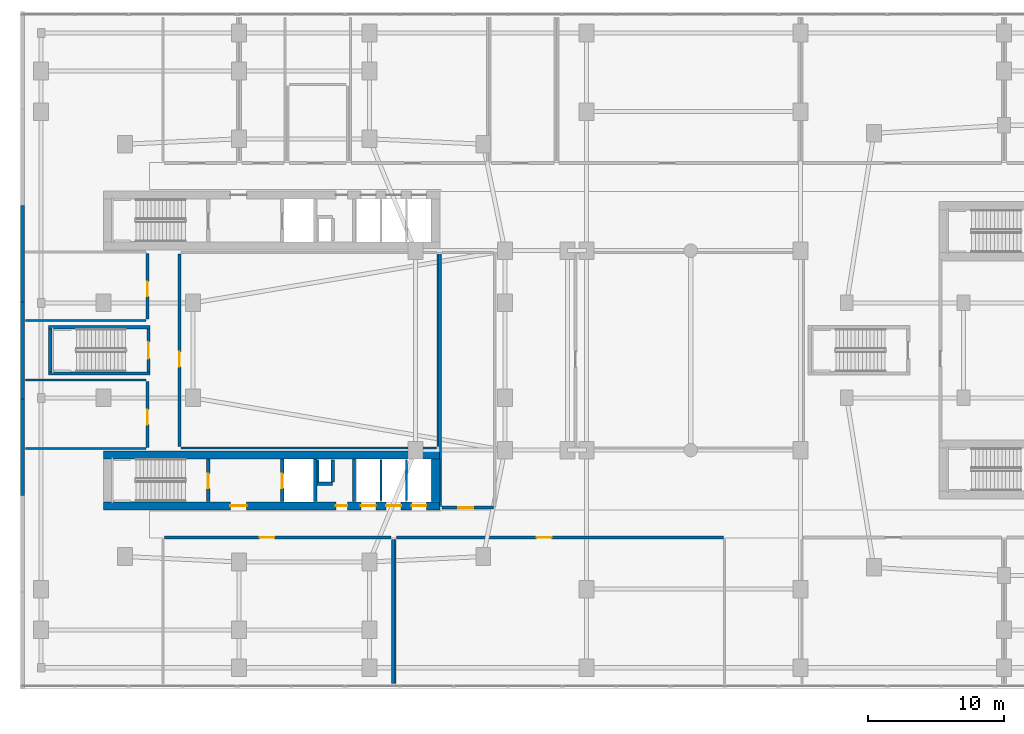
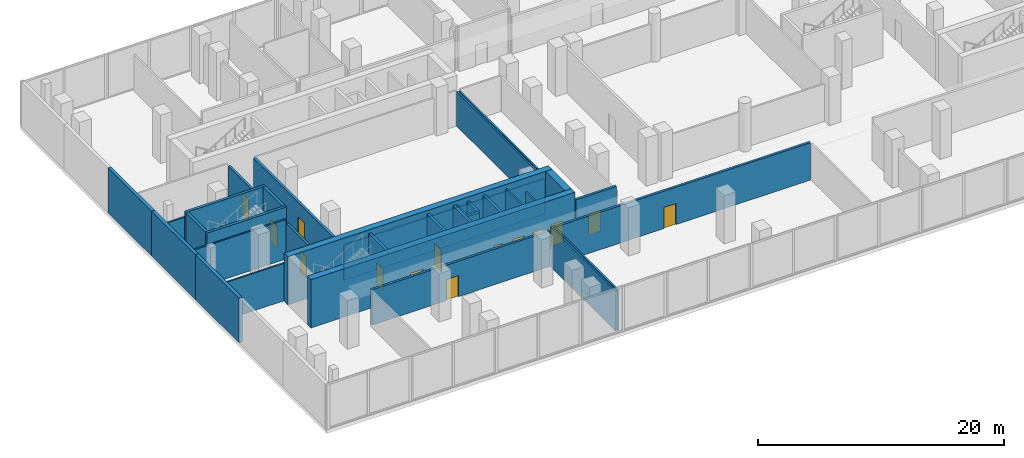
# One storey, part 13 of 23: 33 walls, 14 doors, 14 openings.
"""IFC4 building model written with IfcOpenShell, lengths in metres."""

from ifc_helpers import new_model, si_unit, derived_unit, direction, frame, frame_2d, origin, place, context, subcontext, project, spatial, rectangle, extrude, material, layer, layer_set, type_object, element, fill, save


model = new_model("IFC4")

# Units and contexts
model_context = context("Model", 3, precision=1e-05, world=origin(), true_north=direction((0.0, 1.0)))
body_context = subcontext(model_context, "Body", "Model", "MODEL_VIEW")
ifc_project = project(units=[si_unit("LENGTHUNIT", "METRE"), si_unit("AREAUNIT", "SQUARE_METRE"), si_unit("VOLUMEUNIT", "CUBIC_METRE"), si_unit("PLANEANGLEUNIT", "RADIAN"), si_unit("MASSUNIT", "GRAM", prefix="KILO"), derived_unit("THERMALTRANSMITTANCEUNIT", [(si_unit("POWERUNIT", "WATT"), 1), (si_unit("LENGTHUNIT", "METRE"), -2), (si_unit("THERMODYNAMICTEMPERATUREUNIT", "KELVIN"), -1)])], contexts=[model_context])

# Site, building, storey
site_placement = place(None, origin())
site = spatial("IfcSite", under=ifc_project, at=site_placement, CompositionType="ELEMENT")
building_placement = place(site_placement, origin())
building = spatial("IfcBuilding", under=site, at=building_placement, Name="Kivonza Crest Hotel", CompositionType="ELEMENT")
storey_placement = place(building_placement, frame((0.0, 0.0, 5.39990234375)))
storey = spatial("IfcBuildingStorey", under=building, at=storey_placement, Name="L01", CompositionType="ELEMENT", Elevation=5.39990234375)

# Wall, opening, door
ifc_material_1 = material(Name="Autoclaved aerated concrete blockwork", Category="masonry")
ifc_layer_1 = layer(ifc_material_1, 0.219970703125)
ifc_layer_set_1 = layer_set([ifc_layer_1], Name="Autoclaved aerated concrete blockwork")
wall_type_1 = type_object("IfcWallType", Name="WL-ACOU-220", PredefinedType="SOLIDWALL", material=ifc_layer_set_1)
wall_1_placement = place(storey_placement, frame((11.800048828125, 17.89990234375, 0.0), z_axis=(0.0, 0.0, 1.0), x_axis=(0.0, 1.0, 0.0)))
wall_1 = element("IfcWall", 1, at=wall_1_placement, inside=storey, type_object=wall_type_1, Name="L01 interior partition WA-L01-DIN-ALL-W", PredefinedType="SOLIDWALL", context=body_context, shape_type="SweptSolid", body=[
    extrude(rectangle(XDim=14.2001953125, YDim=0.219970703125, at=frame_2d((7.10009765625, 0.0))), origin(), (0.0, 0.0, 1.0), 3.525146484375),
])
opening_1_placement = place(wall_1_placement, frame((5.885009765625, 0.0, 0.0)))
opening_1 = element("IfcOpeningElement", 2, at=opening_1_placement, cuts=wall_1, Name="Opening DF-60M", PredefinedType="OPENING", context=body_context, shape_type="SweptSolid", body=[
    extrude(rectangle(XDim=1.10009765625, YDim=2.10009765625, at=frame_2d((0.550048828125, 1.050048828125))), frame((0.0, 0.1201171875, 0.0), z_axis=(0.0, -1.0, 0.0), x_axis=(1.0, 0.0, 0.0)), (0.0, 0.0, 1.0), 0.239990234375),
])
ifc_material_2 = material(Name="Hardwood timber oak", Category="wood")
door_type_1 = type_object("IfcDoorType", Name="DR-FD60-1100", OperationType="NOTDEFINED", PredefinedType="DOOR", material=ifc_material_2)
door_1_placement = place(opening_1_placement, frame((1.10009765625, 0.0, 0.0), z_axis=(0.0, 0.0, 1.0), x_axis=(-1.0, 0.0, 0.0)))
door_1 = element("IfcDoor", 3, at=door_1_placement, inside=storey, type_object=door_type_1, Name="L01 All-Day Dining Restaurant door", OperationType="SINGLE_SWING_LEFT", OverallHeight=2.10009765625, OverallWidth=1.10009765625, PredefinedType="DOOR", context=body_context, shape_type="SweptSolid", body=[
    extrude(rectangle(XDim=1.10009765625, YDim=2.10009765625, at=frame_2d((0.550048828125, 1.050048828125))), frame((0.0, 0.02490234375, 0.0), z_axis=(0.0, -1.0, 0.0), x_axis=(1.0, 0.0, 0.0)), (0.0, 0.0, 1.0), 0.050048828125),
])
fill(opening_1, door_1)

wall_2_placement = place(storey_placement, frame((31.14990234375, 13.39990234375, 0.0), z_axis=(0.0, 0.0, 1.0), x_axis=(1.0, 0.0, 0.0)))
wall_2 = element("IfcWall", 4, at=wall_2_placement, inside=storey, type_object=wall_type_1, Name="L01 interior partition WA-L01-DIN-SPC-S", PredefinedType="SOLIDWALL", context=body_context, shape_type="SweptSolid", body=[
    extrude(rectangle(XDim=3.800048828125, YDim=0.219970703125, at=frame_2d((1.89990234375, 0.0))), origin(), (0.0, 0.0, 1.0), 3.97509765625),
])
opening_2_placement = place(wall_2_placement, frame((1.205078125, 0.0, 0.0)))
opening_2 = element("IfcOpeningElement", 5, at=opening_2_placement, cuts=wall_2, Name="Opening DF-60M", PredefinedType="OPENING", context=body_context, shape_type="SweptSolid", body=[
    extrude(rectangle(XDim=1.10009765625, YDim=2.10009765625, at=frame_2d((0.550048828125, 1.050048828125))), frame((0.0, 0.1201171875, 0.0), z_axis=(0.0, -1.0, 0.0), x_axis=(1.0, 0.0, 0.0)), (0.0, 0.0, 1.0), 0.239990234375),
])
door_2_placement = place(opening_2_placement, origin())
door_2 = element("IfcDoor", 6, at=door_2_placement, inside=storey, type_object=door_type_1, Name="L01 Specialty Grill Dining Room door", OperationType="SINGLE_SWING_RIGHT", OverallHeight=2.10009765625, OverallWidth=1.10009765625, PredefinedType="DOOR", context=body_context, shape_type="SweptSolid", body=[
    extrude(rectangle(XDim=1.10009765625, YDim=2.10009765625, at=frame_2d((0.550048828125, 1.050048828125))), frame((0.0, 0.02490234375, 0.0), z_axis=(0.0, -1.0, 0.0), x_axis=(1.0, 0.0, 0.0)), (0.0, 0.0, 1.0), 0.050048828125),
])
fill(opening_2, door_2)

wall_3_placement = place(storey_placement, frame((10.699951171875, 11.199951171875, 0.0), z_axis=(0.0, 0.0, 1.0), x_axis=(1.0, 0.0, 0.0)))
wall_3 = element("IfcWall", 7, at=wall_3_placement, inside=storey, type_object=wall_type_1, Name="L01 interior partition WA-L01-KIT-MAIN-N", PredefinedType="SOLIDWALL", context=body_context, shape_type="SweptSolid", body=[
    extrude(rectangle(XDim=16.699951171875, YDim=0.219970703125, at=frame_2d((8.35009765625, 0.0))), origin(), (0.0, 0.0, 1.0), 3.525146484375),
])
opening_3_placement = place(wall_3_placement, frame((7.010009765625, 0.0, 0.0)))
opening_3 = element("IfcOpeningElement", 8, at=opening_3_placement, cuts=wall_3, Name="Opening DF-60M", PredefinedType="OPENING", context=body_context, shape_type="SweptSolid", body=[
    extrude(rectangle(XDim=1.10009765625, YDim=2.10009765625, at=frame_2d((0.550048828125, 1.050048828125))), frame((0.0, 0.1201171875, 0.0), z_axis=(0.0, -1.0, 0.0), x_axis=(1.0, 0.0, 0.0)), (0.0, 0.0, 1.0), 0.239990234375),
])
door_3_placement = place(opening_3_placement, frame((1.10009765625, 0.0, 0.0), z_axis=(0.0, 0.0, 1.0), x_axis=(-1.0, 0.0, 0.0)))
door_3 = element("IfcDoor", 9, at=door_3_placement, inside=storey, type_object=door_type_1, Name="L01 Commercial Main Kitchen door", OperationType="SINGLE_SWING_LEFT", OverallHeight=2.10009765625, OverallWidth=1.10009765625, PredefinedType="DOOR", context=body_context, shape_type="SweptSolid", body=[
    extrude(rectangle(XDim=1.10009765625, YDim=2.10009765625, at=frame_2d((0.550048828125, 1.050048828125))), frame((0.0, 0.02490234375, 0.0), z_axis=(0.0, -1.0, 0.0), x_axis=(1.0, 0.0, 0.0)), (0.0, 0.0, 1.0), 0.050048828125),
])
fill(opening_3, door_3)

wall_4_placement = place(storey_placement, frame((27.800048828125, 11.199951171875, 0.0), z_axis=(0.0, 0.0, 1.0), x_axis=(1.0, 0.0, 0.0)))
wall_4 = element("IfcWall", 10, at=wall_4_placement, inside=storey, type_object=wall_type_1, Name="L01 interior partition WA-L01-FOY-1-N", PredefinedType="SOLIDWALL", context=body_context, shape_type="SweptSolid", body=[
    extrude(rectangle(XDim=24.099853515625, YDim=0.219970703125, at=frame_2d((12.0498046875, 0.0))), origin(), (0.0, 0.0, 1.0), 3.72509765625),
])
opening_4_placement = place(wall_4_placement, frame((10.340087890625, 0.0, 0.0)))
opening_4 = element("IfcOpeningElement", 11, at=opening_4_placement, cuts=wall_4, Name="Opening DF-60M", PredefinedType="OPENING", context=body_context, shape_type="SweptSolid", body=[
    extrude(rectangle(XDim=1.10009765625, YDim=2.10009765625, at=frame_2d((0.550048828125, 1.050048828125))), frame((0.0, 0.1201171875, 0.0), z_axis=(0.0, -1.0, 0.0), x_axis=(1.0, 0.0, 0.0)), (0.0, 0.0, 1.0), 0.239990234375),
])
door_4_placement = place(opening_4_placement, frame((1.10009765625, 0.0, 0.0), z_axis=(0.0, 0.0, 1.0), x_axis=(-1.0, 0.0, 0.0)))
door_4 = element("IfcDoor", 12, at=door_4_placement, inside=storey, type_object=door_type_1, Name="L01 Dining Pre-Function Foyer door", OperationType="SINGLE_SWING_RIGHT", OverallHeight=2.10009765625, OverallWidth=1.10009765625, PredefinedType="DOOR", context=body_context, shape_type="SweptSolid", body=[
    extrude(rectangle(XDim=1.10009765625, YDim=2.10009765625, at=frame_2d((0.550048828125, 1.050048828125))), frame((0.0, 0.02490234375, 0.0), z_axis=(0.0, -1.0, 0.0), x_axis=(1.0, 0.0, 0.0)), (0.0, 0.0, 1.0), 0.050048828125),
])
fill(opening_4, door_4)

wall_5_placement = place(storey_placement, frame((9.449951171875, 17.85009765625, 0.0), z_axis=(0.0, 0.0, 1.0), x_axis=(0.0, 1.0, 0.0)))
wall_5 = element("IfcWall", 13, at=wall_5_placement, inside=storey, type_object=wall_type_1, Name="L01 interior partition WA-L01-W-SAL1S-E", PredefinedType="SOLIDWALL", context=body_context, shape_type="SweptSolid", body=[
    extrude(rectangle(XDim=4.849853515625, YDim=0.219970703125, at=frame_2d((2.4248046875, 0.0))), origin(), (0.0, 0.0, 1.0), 3.525146484375),
])
opening_5_placement = place(wall_5_placement, frame((1.677978515625, 0.0, 0.0)))
opening_5 = element("IfcOpeningElement", 14, at=opening_5_placement, cuts=wall_5, Name="Opening DF-60M", PredefinedType="OPENING", context=body_context, shape_type="SweptSolid", body=[
    extrude(rectangle(XDim=1.10009765625, YDim=2.10009765625, at=frame_2d((0.550048828125, 1.050048828125))), frame((0.0, 0.1201171875, 0.0), z_axis=(0.0, -1.0, 0.0), x_axis=(1.0, 0.0, 0.0)), (0.0, 0.0, 1.0), 0.239990234375),
])
door_5_placement = place(opening_5_placement, origin())
door_5 = element("IfcDoor", 15, at=door_5_placement, inside=storey, type_object=door_type_1, Name="L01 West Tea Lounge door", OperationType="SINGLE_SWING_LEFT", OverallHeight=2.10009765625, OverallWidth=1.10009765625, PredefinedType="DOOR", context=body_context, shape_type="SweptSolid", body=[
    extrude(rectangle(XDim=1.10009765625, YDim=2.10009765625, at=frame_2d((0.550048828125, 1.050048828125))), frame((0.0, 0.02490234375, 0.0), z_axis=(0.0, -1.0, 0.0), x_axis=(1.0, 0.0, 0.0)), (0.0, 0.0, 1.0), 0.050048828125),
])
fill(opening_5, door_5)

wall_6_placement = place(storey_placement, frame((9.449951171875, 27.300048828125, 0.0), z_axis=(0.0, 0.0, 1.0), x_axis=(0.0, 1.0, 0.0)))
wall_6 = element("IfcWall", 16, at=wall_6_placement, inside=storey, type_object=wall_type_1, Name="L01 interior partition WA-L01-W-SAL1N-E", PredefinedType="SOLIDWALL", context=body_context, shape_type="SweptSolid", body=[
    extrude(rectangle(XDim=4.849853515625, YDim=0.219970703125, at=frame_2d((2.4248046875, 0.0))), origin(), (0.0, 0.0, 1.0), 3.525146484375),
])
opening_6_placement = place(wall_6_placement, frame((1.677978515625, 0.0, 0.0)))
opening_6 = element("IfcOpeningElement", 17, at=opening_6_placement, cuts=wall_6, Name="Opening DF-60M", PredefinedType="OPENING", context=body_context, shape_type="SweptSolid", body=[
    extrude(rectangle(XDim=1.10009765625, YDim=2.10009765625, at=frame_2d((0.550048828125, 1.050048828125))), frame((0.0, 0.1201171875, 0.0), z_axis=(0.0, -1.0, 0.0), x_axis=(1.0, 0.0, 0.0)), (0.0, 0.0, 1.0), 0.239990234375),
])
door_6_placement = place(opening_6_placement, origin())
door_6 = element("IfcDoor", 18, at=door_6_placement, inside=storey, type_object=door_type_1, Name="L01 West Espresso Salon door", OperationType="SINGLE_SWING_RIGHT", OverallHeight=2.10009765625, OverallWidth=1.10009765625, PredefinedType="DOOR", context=body_context, shape_type="SweptSolid", body=[
    extrude(rectangle(XDim=1.10009765625, YDim=2.10009765625, at=frame_2d((0.550048828125, 1.050048828125))), frame((0.0, 0.02490234375, 0.0), z_axis=(0.0, -1.0, 0.0), x_axis=(1.0, 0.0, 0.0)), (0.0, 0.0, 1.0), 0.050048828125),
])
fill(opening_6, door_6)

# Wall, openings, doors
ifc_material_3 = material(Name="Concrete C60/75", Category="concrete")
ifc_layer_2 = layer(ifc_material_3, 0.60009765625)
ifc_layer_set_2 = layer_set([ifc_layer_2], Name="Concrete C60/75")
wall_type_2 = type_object("IfcWallType", Name="WL-CORE-600", PredefinedType="SHEAR", material=ifc_layer_set_2)
wall_7_placement = place(storey_placement, frame((6.199951171875, 13.5400390625, 0.0), z_axis=(0.0, 0.0, 1.0), x_axis=(1.0, 0.0, 0.0)))
wall_7 = element("IfcWall", 19, at=wall_7_placement, inside=storey, type_object=wall_type_2, Name="Core wall T1-S South L01", PredefinedType="SHEAR", context=body_context, shape_type="SweptSolid", body=[
    extrude(rectangle(XDim=24.800048828125, YDim=0.60009765625, at=frame_2d((12.39990234375, 0.0))), origin(), (0.0, 0.0, 1.0), 4.800048828125),
])
opening_7_placement = place(wall_7_placement, frame((9.35009765625, 0.0, 0.0)))
opening_7 = element("IfcOpeningElement", 20, at=opening_7_placement, cuts=wall_7, Name="Opening DF-60", PredefinedType="OPENING", context=body_context, shape_type="SweptSolid", body=[
    extrude(rectangle(XDim=1.199951171875, YDim=2.14990234375, at=frame_2d((0.60009765625, 1.074951171875))), frame((0.0, 0.31005859375, 0.0), z_axis=(0.0, -1.0, 0.0), x_axis=(1.0, 0.0, 0.0)), (0.0, 0.0, 1.0), 0.6201171875),
])
opening_8_placement = place(wall_7_placement, frame((17.139892578125, 0.0, 0.0)))
opening_8 = element("IfcOpeningElement", 21, at=opening_8_placement, cuts=wall_7, Name="Opening DF-60R", PredefinedType="OPENING", context=body_context, shape_type="SweptSolid", body=[
    extrude(rectangle(XDim=0.85009765625, YDim=2.10009765625, at=frame_2d((0.425048828125, 1.050048828125))), frame((0.0, 0.31005859375, 0.0), z_axis=(0.0, -1.0, 0.0), x_axis=(1.0, 0.0, 0.0)), (0.0, 0.0, 1.0), 0.6201171875),
])
opening_9_placement = place(wall_7_placement, frame((18.98291015625, 0.0, 0.0)))
opening_9 = element("IfcOpeningElement", 22, at=opening_9_placement, cuts=wall_7, Name="Opening LD-120", PredefinedType="OPENING", context=body_context, shape_type="SweptSolid", body=[
    extrude(rectangle(XDim=1.10009765625, YDim=2.14990234375, at=frame_2d((0.550048828125, 1.074951171875))), frame((0.0, 0.31005859375, 0.0), z_axis=(0.0, -1.0, 0.0), x_axis=(1.0, 0.0, 0.0)), (0.0, 0.0, 1.0), 0.6201171875),
])
opening_10_placement = place(wall_7_placement, frame((20.85009765625, 0.0, 0.0)))
opening_10 = element("IfcOpeningElement", 23, at=opening_10_placement, cuts=wall_7, Name="Opening LD-120", PredefinedType="OPENING", context=body_context, shape_type="SweptSolid", body=[
    extrude(rectangle(XDim=1.10009765625, YDim=2.14990234375, at=frame_2d((0.550048828125, 1.074951171875))), frame((0.0, 0.31005859375, 0.0), z_axis=(0.0, -1.0, 0.0), x_axis=(1.0, 0.0, 0.0)), (0.0, 0.0, 1.0), 0.6201171875),
])
opening_11_placement = place(wall_7_placement, frame((22.716064453125, 0.0, 0.0)))
opening_11 = element("IfcOpeningElement", 24, at=opening_11_placement, cuts=wall_7, Name="Opening LD-120", PredefinedType="OPENING", context=body_context, shape_type="SweptSolid", body=[
    extrude(rectangle(XDim=1.10009765625, YDim=2.14990234375, at=frame_2d((0.550048828125, 1.074951171875))), frame((0.0, 0.31005859375, 0.0), z_axis=(0.0, -1.0, 0.0), x_axis=(1.0, 0.0, 0.0)), (0.0, 0.0, 1.0), 0.6201171875),
])
door_type_2 = type_object("IfcDoorType", Name="DR-FD60-1200", OperationType="NOTDEFINED", PredefinedType="DOOR", material=ifc_material_2)
door_7_placement = place(opening_7_placement, frame((1.199951171875, 0.0, 0.0), z_axis=(0.0, 0.0, 1.0), x_axis=(-1.0, 0.0, 0.0)))
door_7 = element("IfcDoor", 25, at=door_7_placement, inside=storey, type_object=door_type_2, Name="L01 T1-S firefighting lobby fire door", OperationType="SINGLE_SWING_LEFT", OverallHeight=2.14990234375, OverallWidth=1.199951171875, PredefinedType="DOOR", context=body_context, shape_type="SweptSolid", body=[
    extrude(rectangle(XDim=1.199951171875, YDim=2.14990234375, at=frame_2d((0.60009765625, 1.074951171875))), frame((0.0, 0.02490234375, 0.0), z_axis=(0.0, -1.0, 0.0), x_axis=(1.0, 0.0, 0.0)), (0.0, 0.0, 1.0), 0.050048828125),
])
fill(opening_7, door_7)
door_type_3 = type_object("IfcDoorType", Name="DR-FD60-850", OperationType="NOTDEFINED", PredefinedType="DOOR", material=ifc_material_2)
door_8_placement = place(opening_8_placement, frame((0.85009765625, 0.0, 0.0), z_axis=(0.0, 0.0, 1.0), x_axis=(-1.0, 0.0, 0.0)))
door_8 = element("IfcDoor", 26, at=door_8_placement, inside=storey, type_object=door_type_3, Name="L01 T1-S core room door", OperationType="SINGLE_SWING_RIGHT", OverallHeight=2.10009765625, OverallWidth=0.85009765625, PredefinedType="DOOR", context=body_context, shape_type="SweptSolid", body=[
    extrude(rectangle(XDim=0.85009765625, YDim=2.10009765625, at=frame_2d((0.425048828125, 1.050048828125))), frame((0.0, 0.02490234375, 0.0), z_axis=(0.0, -1.0, 0.0), x_axis=(1.0, 0.0, 0.0)), (0.0, 0.0, 1.0), 0.050048828125),
])
fill(opening_8, door_8)
ifc_material_4 = material(Name="Stainless steel", Category="steel")
door_type_4 = type_object("IfcDoorType", Name="DR-LD120-1100", OperationType="NOTDEFINED", PredefinedType="DOOR", material=ifc_material_4)
door_9_placement = place(opening_9_placement, frame((1.10009765625, 0.0, 0.0), z_axis=(0.0, 0.0, 1.0), x_axis=(-1.0, 0.0, 0.0)))
door_9 = element("IfcDoor", 27, at=door_9_placement, inside=storey, type_object=door_type_4, Name="L01 PL-T1-H1 passenger lift sliding landing door", OperationType="DOUBLE_DOOR_SLIDING", OverallHeight=2.14990234375, OverallWidth=1.10009765625, PredefinedType="DOOR", context=body_context, shape_type="SweptSolid", body=[
    extrude(rectangle(XDim=1.10009765625, YDim=2.14990234375, at=frame_2d((0.550048828125, 1.074951171875))), frame((0.0, 0.02490234375, 0.0), z_axis=(0.0, -1.0, 0.0), x_axis=(1.0, 0.0, 0.0)), (0.0, 0.0, 1.0), 0.050048828125),
])
fill(opening_9, door_9)
door_10_placement = place(opening_10_placement, frame((1.10009765625, 0.0, 0.0), z_axis=(0.0, 0.0, 1.0), x_axis=(-1.0, 0.0, 0.0)))
door_10 = element("IfcDoor", 28, at=door_10_placement, inside=storey, type_object=door_type_4, Name="L01 PL-T1-H2 passenger lift sliding landing door", OperationType="DOUBLE_DOOR_SLIDING", OverallHeight=2.14990234375, OverallWidth=1.10009765625, PredefinedType="DOOR", context=body_context, shape_type="SweptSolid", body=[
    extrude(rectangle(XDim=1.10009765625, YDim=2.14990234375, at=frame_2d((0.550048828125, 1.074951171875))), frame((0.0, 0.02490234375, 0.0), z_axis=(0.0, -1.0, 0.0), x_axis=(1.0, 0.0, 0.0)), (0.0, 0.0, 1.0), 0.050048828125),
])
fill(opening_10, door_10)
door_11_placement = place(opening_11_placement, frame((1.10009765625, 0.0, 0.0), z_axis=(0.0, 0.0, 1.0), x_axis=(-1.0, 0.0, 0.0)))
door_11 = element("IfcDoor", 29, at=door_11_placement, inside=storey, type_object=door_type_4, Name="L01 PL-T1-H3 passenger lift sliding landing door", OperationType="DOUBLE_DOOR_SLIDING", OverallHeight=2.14990234375, OverallWidth=1.10009765625, PredefinedType="DOOR", context=body_context, shape_type="SweptSolid", body=[
    extrude(rectangle(XDim=1.10009765625, YDim=2.14990234375, at=frame_2d((0.550048828125, 1.074951171875))), frame((0.0, 0.02490234375, 0.0), z_axis=(0.0, -1.0, 0.0), x_axis=(1.0, 0.0, 0.0)), (0.0, 0.0, 1.0), 0.050048828125),
])
fill(opening_11, door_11)

# Walls
wall_8_placement = place(storey_placement, frame((6.199951171875, 17.300048828125, 0.0), z_axis=(0.0, 0.0, 1.0), x_axis=(1.0, 0.0, 0.0)))
element("IfcWall", 30, at=wall_8_placement, inside=storey, type_object=wall_type_2, Name="Core wall T1-S North L01", PredefinedType="SHEAR", context=body_context, shape_type="SweptSolid", body=[
    extrude(rectangle(XDim=24.800048828125, YDim=0.60009765625, at=frame_2d((12.39990234375, 0.0))), origin(), (0.0, 0.0, 1.0), 4.800048828125),
])
wall_9_placement = place(storey_placement, frame((30.699951171875, 13.840087890625, 0.0), z_axis=(0.0, 0.0, 1.0), x_axis=(0.0, 1.0, 0.0)))
element("IfcWall", 31, at=wall_9_placement, inside=storey, type_object=wall_type_2, Name="Core wall T1-S East L01", PredefinedType="SHEAR", context=body_context, shape_type="SweptSolid", body=[
    extrude(rectangle(XDim=3.159912109375, YDim=0.60009765625, at=frame_2d((1.580078125, 0.0))), origin(), (0.0, 0.0, 1.0), 4.800048828125),
])
ifc_material_5 = material(Name="Precast concrete C40/50", Category="concrete")
ifc_layer_3 = layer(ifc_material_5, 0.300048828125)
ifc_layer_set_3 = layer_set([ifc_layer_3], Name="Precast concrete C40/50")
wall_type_3 = type_object("IfcWallType", Name="WL-EXT-300", PredefinedType="STANDARD", material=ifc_layer_set_3)
wall_10_placement = place(storey_placement, frame((0.22998046875, 35.68798828125, 0.0), z_axis=(0.0, 0.0, 1.0), x_axis=(0.0, -1.0, 0.0)))
element("IfcWall", 32, at=wall_10_placement, inside=storey, type_object=wall_type_3, Name="L01 POD exterior insulated wall 34", PredefinedType="STANDARD", context=body_context, shape_type="SweptSolid", body=[
    extrude(rectangle(XDim=7.135986328125, YDim=0.300048828125, at=frame_2d((3.56787109375, 0.0))), origin(), (0.0, 0.0, 1.0), 4.4501953125),
])
wall_11_placement = place(storey_placement, frame((0.22998046875, 28.568115234375, 0.0), z_axis=(0.0, 0.0, 1.0), x_axis=(0.0, -1.0, 0.0)))
element("IfcWall", 33, at=wall_11_placement, inside=storey, type_object=wall_type_3, Name="L01 POD exterior insulated wall 35", PredefinedType="STANDARD", context=body_context, shape_type="SweptSolid", body=[
    extrude(rectangle(XDim=7.13623046875, YDim=0.300048828125, at=frame_2d((3.568115234375, 0.0))), origin(), (0.0, 0.0, 1.0), 4.4501953125),
])
wall_12_placement = place(storey_placement, frame((0.22998046875, 21.447998046875, 0.0), z_axis=(0.0, 0.0, 1.0), x_axis=(0.0, -1.0, 0.0)))
element("IfcWall", 34, at=wall_12_placement, inside=storey, type_object=wall_type_3, Name="L01 POD exterior insulated wall 36", PredefinedType="STANDARD", context=body_context, shape_type="SweptSolid", body=[
    extrude(rectangle(XDim=7.135986328125, YDim=0.300048828125, at=frame_2d((3.56787109375, 0.0))), origin(), (0.0, 0.0, 1.0), 4.4501953125),
])
ifc_material_6 = material(Name="Concrete blockwork fire-compartment wall", Category="masonry")
ifc_layer_4 = layer(ifc_material_6, 0.25)
ifc_layer_set_4 = layer_set([ifc_layer_4], Name="Concrete blockwork fire-compartment wall")
wall_type_4 = type_object("IfcWallType", Name="WL-FIRE-250", PredefinedType="SOLIDWALL", material=ifc_layer_set_4)
wall_13_placement = place(storey_placement, frame((23.10009765625, 15.280029296875, 0.0), z_axis=(0.0, 0.0, 1.0), x_axis=(0.0, 1.0, 0.0)))
element("IfcWall", 35, at=wall_13_placement, inside=storey, type_object=wall_type_4, Name="L01 interior partition WA-L01-T1-S-MEPR-E", PredefinedType="SOLIDWALL", context=body_context, shape_type="SweptSolid", body=[
    extrude(rectangle(XDim=1.619873046875, YDim=0.25, at=frame_2d((0.81005859375, 0.0))), origin(), (0.0, 0.0, 1.0), 4.4501953125),
])
wall_14_placement = place(storey_placement, frame((21.949951171875, 15.179931640625, 0.0), z_axis=(0.0, 0.0, 1.0), x_axis=(1.0, 0.0, 0.0)))
element("IfcWall", 36, at=wall_14_placement, inside=storey, type_object=wall_type_4, Name="L01 interior partition WA-L01-T1-S-MEPR-H", PredefinedType="SOLIDWALL", context=body_context, shape_type="SweptSolid", body=[
    extrude(rectangle(XDim=1.150146484375, YDim=0.25, at=frame_2d((0.5751953125, 0.0))), origin(), (0.0, 0.0, 1.0), 4.4501953125),
])
ifc_material_7 = material(Name="Twin-stud acoustic gypsum board partition", Category="gypsum")
ifc_layer_5 = layer(ifc_material_7, 0.14990234375)
ifc_layer_set_5 = layer_set([ifc_layer_5], Name="Twin-stud acoustic gypsum board partition")
wall_type_5 = type_object("IfcWallType", Name="WL-PART-150", PredefinedType="PARTITIONING", material=ifc_layer_set_5)
wall_15_placement = place(storey_placement, frame((22.030029296875, 15.280029296875, 0.0), z_axis=(0.0, 0.0, 1.0), x_axis=(0.0, 1.0, 0.0)))
element("IfcWall", 37, at=wall_15_placement, inside=storey, type_object=wall_type_5, Name="L01 interior partition WA-L01-T1-S-MEPR-W", PredefinedType="PARTITIONING", context=body_context, shape_type="SweptSolid", body=[
    extrude(rectangle(XDim=1.619873046875, YDim=0.14990234375, at=frame_2d((0.81005859375, 0.0))), origin(), (0.0, 0.0, 1.0), 4.4501953125),
])
wall_16_placement = place(storey_placement, frame((26.6669921875, 13.93994140625, 0.0), z_axis=(0.0, 0.0, 1.0), x_axis=(0.0, 1.0, 0.0)))
element("IfcWall", 38, at=wall_16_placement, inside=storey, type_object=wall_type_5, Name="L01 interior partition WP-L01-T1-S-BSH-1", PredefinedType="PARTITIONING", context=body_context, shape_type="SweptSolid", body=[
    extrude(rectangle(XDim=2.9599609375, YDim=0.14990234375, at=frame_2d((1.47998046875, 0.0))), origin(), (0.0, 0.0, 1.0), 4.4501953125),
])
wall_17_placement = place(storey_placement, frame((28.532958984375, 13.93994140625, 0.0), z_axis=(0.0, 0.0, 1.0), x_axis=(0.0, 1.0, 0.0)))
element("IfcWall", 39, at=wall_17_placement, inside=storey, type_object=wall_type_5, Name="L01 interior partition WP-L01-T1-S-BSH-2", PredefinedType="PARTITIONING", context=body_context, shape_type="SweptSolid", body=[
    extrude(rectangle(XDim=2.9599609375, YDim=0.14990234375, at=frame_2d((1.47998046875, 0.0))), origin(), (0.0, 0.0, 1.0), 3.525146484375),
])
wall_18_placement = place(storey_placement, frame((30.85009765625, 17.89990234375, 0.0), z_axis=(0.0, 0.0, 1.0), x_axis=(0.0, 1.0, 0.0)))
element("IfcWall", 40, at=wall_18_placement, inside=storey, type_object=wall_type_5, Name="L01 interior partition WP-L01-DIN-ALL-BE", PredefinedType="PARTITIONING", context=body_context, shape_type="SweptSolid", body=[
    extrude(rectangle(XDim=14.2001953125, YDim=0.14990234375, at=frame_2d((7.10009765625, 0.0))), origin(), (0.0, 0.0, 1.0), 3.425048828125),
])
wall_19_placement = place(storey_placement, frame((11.89990234375, 17.800048828125, 0.0), z_axis=(0.0, 0.0, 1.0), x_axis=(1.0, 0.0, 0.0)))
element("IfcWall", 41, at=wall_19_placement, inside=storey, type_object=wall_type_5, Name="L01 interior partition WP-L01-DIN-ALL-BS", PredefinedType="PARTITIONING", context=body_context, shape_type="SweptSolid", body=[
    extrude(rectangle(XDim=18.85009765625, YDim=0.14990234375, at=frame_2d((9.425048828125, 0.0))), origin(), (0.0, 0.0, 1.0), 3.525146484375),
])
wall_20_placement = place(storey_placement, frame((31.050048828125, 13.5, 0.0), z_axis=(0.0, 0.0, 1.0), x_axis=(0.0, 1.0, 0.0)))
element("IfcWall", 42, at=wall_20_placement, inside=storey, type_object=wall_type_5, Name="L01 interior partition WP-L01-DIN-SPC-BW", PredefinedType="PARTITIONING", context=body_context, shape_type="SweptSolid", body=[
    extrude(rectangle(XDim=18.60009765625, YDim=0.14990234375, at=frame_2d((9.300048828125, 0.0))), origin(), (0.0, 0.0, 1.0), 3.425048828125),
])
for number, where, z_axis, x_axis, name in (
    (43, (27.5, 0.449951171875, 0.0), (0.0, 0.0, 1.0), (0.0, 1.0, 0.0), "L01 interior partition WP-L01-KIT-MAIN-BE"),
    (44, (27.699951171875, 0.449951171875, 0.0), (0.0, 0.0, 1.0), (0.0, 1.0, 0.0), "L01 interior partition WP-L01-FOY-1-BW"),
):
    element("IfcWall", number, at=place(storey_placement, frame(where, z_axis=z_axis, x_axis=x_axis)), inside=storey, type_object=wall_type_5, Name=name, PredefinedType="PARTITIONING", context=body_context, shape_type="SweptSolid", body=[
        extrude(rectangle(XDim=10.60009765625, YDim=0.14990234375, at=frame_2d((5.300048828125, 0.0))), origin(), (0.0, 0.0, 1.0), 3.97509765625),
    ])
wall_21_placement = place(storey_placement, frame((0.449951171875, 17.75, 0.0), z_axis=(0.0, 0.0, 1.0), x_axis=(1.0, 0.0, 0.0)))
element("IfcWall", 45, at=wall_21_placement, inside=storey, type_object=wall_type_5, Name="L01 interior partition WP-L01-W-SAL1S-BS", PredefinedType="PARTITIONING", context=body_context, shape_type="SweptSolid", body=[
    extrude(rectangle(XDim=8.900146484375, YDim=0.14990234375, at=frame_2d((4.4501953125, 0.0))), origin(), (0.0, 0.0, 1.0), 3.72509765625),
])
for number, where, z_axis, x_axis, name in (
    (46, (0.449951171875, 22.800048828125, 0.0), (0.0, 0.0, 1.0), (1.0, 0.0, 0.0), "L01 interior partition WP-L01-W-SAL1S-BN"),
    (47, (0.449951171875, 27.199951171875, 0.0), (0.0, 0.0, 1.0), (1.0, 0.0, 0.0), "L01 interior partition WP-L01-W-SAL1N-BS"),
):
    element("IfcWall", number, at=place(storey_placement, frame(where, z_axis=z_axis, x_axis=x_axis)), inside=storey, type_object=wall_type_5, Name=name, PredefinedType="PARTITIONING", context=body_context, shape_type="SweptSolid", body=[
        extrude(rectangle(XDim=8.900146484375, YDim=0.14990234375, at=frame_2d((4.4501953125, 0.0))), origin(), (0.0, 0.0, 1.0), 3.925048828125),
    ])

# Wall, opening, door
ifc_material_8 = material(Name="Concrete C50/60", Category="concrete")
ifc_layer_6 = layer(ifc_material_8, 0.25)
ifc_layer_set_6 = layer_set([ifc_layer_6], Name="Concrete C50/60")
wall_type_6 = type_object("IfcWallType", Name="WL-SHAFT-250", PredefinedType="STANDARD", material=ifc_layer_set_6)
wall_22_placement = place(storey_placement, frame((13.925048828125, 13.840087890625, 0.0), z_axis=(0.0, 0.0, 1.0), x_axis=(0.0, 1.0, 0.0)))
wall_22 = element("IfcWall", 48, at=wall_22_placement, inside=storey, type_object=wall_type_6, Name="Core shaft wall T1-S STAIR L01", PredefinedType="STANDARD", context=body_context, shape_type="SweptSolid", body=[
    extrude(rectangle(XDim=3.159912109375, YDim=0.25, at=frame_2d((1.580078125, 0.0))), origin(), (0.0, 0.0, 1.0), 4.4501953125),
])
opening_12_placement = place(wall_22_placement, frame((0.97998046875, 0.0, 0.0)))
opening_12 = element("IfcOpeningElement", 49, at=opening_12_placement, cuts=wall_22, Name="Opening DF-120", PredefinedType="OPENING", context=body_context, shape_type="SweptSolid", body=[
    extrude(rectangle(XDim=1.10009765625, YDim=2.14990234375, at=frame_2d((0.550048828125, 1.074951171875))), frame((0.0, 0.135009765625, 0.0), z_axis=(0.0, -1.0, 0.0), x_axis=(1.0, 0.0, 0.0)), (0.0, 0.0, 1.0), 0.27001953125),
])
ifc_material_9 = material(Name="Galvanised steel", Category="steel")
door_type_5 = type_object("IfcDoorType", Name="DR-FD120-1100", OperationType="NOTDEFINED", PredefinedType="DOOR", material=ifc_material_9)
door_12_placement = place(opening_12_placement, frame((1.10009765625, 0.0, 0.0), z_axis=(0.0, 0.0, 1.0), x_axis=(-1.0, 0.0, 0.0)))
door_12 = element("IfcDoor", 50, at=door_12_placement, inside=storey, type_object=door_type_5, Name="L01 T1-S stair fire door", OperationType="SINGLE_SWING_RIGHT", OverallHeight=2.14990234375, OverallWidth=1.10009765625, PredefinedType="DOOR", context=body_context, shape_type="SweptSolid", body=[
    extrude(rectangle(XDim=1.10009765625, YDim=2.14990234375, at=frame_2d((0.550048828125, 1.074951171875))), frame((0.0, 0.02490234375, 0.0), z_axis=(0.0, -1.0, 0.0), x_axis=(1.0, 0.0, 0.0)), (0.0, 0.0, 1.0), 0.050048828125),
])
fill(opening_12, door_12)

wall_23_placement = place(storey_placement, frame((19.375, 13.840087890625, 0.0), z_axis=(0.0, 0.0, 1.0), x_axis=(0.0, 1.0, 0.0)))
wall_23 = element("IfcWall", 51, at=wall_23_placement, inside=storey, type_object=wall_type_6, Name="Core shaft wall T1-S FFL-W L01", PredefinedType="STANDARD", context=body_context, shape_type="SweptSolid", body=[
    extrude(rectangle(XDim=3.159912109375, YDim=0.25, at=frame_2d((1.580078125, 0.0))), origin(), (0.0, 0.0, 1.0), 4.4501953125),
])
opening_13_placement = place(wall_23_placement, frame((0.97998046875, 0.0, 0.0)))
opening_13 = element("IfcOpeningElement", 52, at=opening_13_placement, cuts=wall_23, Name="Opening LD-120", PredefinedType="OPENING", context=body_context, shape_type="SweptSolid", body=[
    extrude(rectangle(XDim=1.10009765625, YDim=2.14990234375, at=frame_2d((0.550048828125, 1.074951171875))), frame((0.0, 0.135009765625, 0.0), z_axis=(0.0, -1.0, 0.0), x_axis=(1.0, 0.0, 0.0)), (0.0, 0.0, 1.0), 0.27001953125),
])
door_13_placement = place(opening_13_placement, origin())
door_13 = element("IfcDoor", 53, at=door_13_placement, inside=storey, type_object=door_type_4, Name="L01 FFL-T1-S firefighting lift sliding landing door", OperationType="DOUBLE_DOOR_SLIDING", OverallHeight=2.14990234375, OverallWidth=1.10009765625, PredefinedType="DOOR", context=body_context, shape_type="SweptSolid", body=[
    extrude(rectangle(XDim=1.10009765625, YDim=2.14990234375, at=frame_2d((0.550048828125, 1.074951171875))), frame((0.0, 0.02490234375, 0.0), z_axis=(0.0, -1.0, 0.0), x_axis=(1.0, 0.0, 0.0)), (0.0, 0.0, 1.0), 0.050048828125),
])
fill(opening_13, door_13)

# Walls
for number, where, z_axis, x_axis, name in (
    (54, (21.824951171875, 13.840087890625, 0.0), (0.0, 0.0, 1.0), (0.0, 1.0, 0.0), "Core shaft wall T1-S FFL-E L01"),
    (55, (24.675048828125, 13.840087890625, 0.0), (0.0, 0.0, 1.0), (0.0, 1.0, 0.0), "Core shaft wall T1-S BANK-W L01"),
):
    element("IfcWall", number, at=place(storey_placement, frame(where, z_axis=z_axis, x_axis=x_axis)), inside=storey, type_object=wall_type_6, Name=name, PredefinedType="STANDARD", context=body_context, shape_type="SweptSolid", body=[
        extrude(rectangle(XDim=3.159912109375, YDim=0.25, at=frame_2d((1.580078125, 0.0))), origin(), (0.0, 0.0, 1.0), 4.4501953125),
    ])
for number, where, z_axis, x_axis, name in (
    (56, (2.14990234375, 23.294921875, 0.0), (0.0, 0.0, 1.0), (1.0, 0.0, 0.0), "Podium stair enclosure wall ST-POD-W S L01"),
    (57, (2.14990234375, 26.705078125, 0.0), (0.0, 0.0, 1.0), (1.0, 0.0, 0.0), "Podium stair enclosure wall ST-POD-W N L01"),
):
    element("IfcWall", number, at=place(storey_placement, frame(where, z_axis=z_axis, x_axis=x_axis)), inside=storey, type_object=wall_type_6, Name=name, PredefinedType="STANDARD", context=body_context, shape_type="SweptSolid", body=[
        extrude(rectangle(XDim=7.5, YDim=0.25, at=frame_2d((3.75, 0.0))), origin(), (0.0, 0.0, 1.0), 4.800048828125),
    ])
wall_24_placement = place(storey_placement, frame((2.27490234375, 23.419921875, 0.0), z_axis=(0.0, 0.0, 1.0), x_axis=(0.0, 1.0, 0.0)))
element("IfcWall", 58, at=wall_24_placement, inside=storey, type_object=wall_type_6, Name="Podium stair enclosure wall ST-POD-W W L01", PredefinedType="STANDARD", context=body_context, shape_type="SweptSolid", body=[
    extrude(rectangle(XDim=3.16015625, YDim=0.25, at=frame_2d((1.580078125, 0.0))), origin(), (0.0, 0.0, 1.0), 4.800048828125),
])

# Wall, opening, door
wall_25_placement = place(storey_placement, frame((9.52490234375, 23.419921875, 0.0), z_axis=(0.0, 0.0, 1.0), x_axis=(0.0, 1.0, 0.0)))
wall_25 = element("IfcWall", 59, at=wall_25_placement, inside=storey, type_object=wall_type_6, Name="Podium stair enclosure wall ST-POD-W E L01", PredefinedType="STANDARD", context=body_context, shape_type="SweptSolid", body=[
    extrude(rectangle(XDim=3.16015625, YDim=0.25, at=frame_2d((1.580078125, 0.0))), origin(), (0.0, 0.0, 1.0), 4.800048828125),
])
opening_14_placement = place(wall_25_placement, frame((0.97998046875, 0.0, 0.0)))
opening_14 = element("IfcOpeningElement", 60, at=opening_14_placement, cuts=wall_25, Name="Opening DF-120W", PredefinedType="OPENING", context=body_context, shape_type="SweptSolid", body=[
    extrude(rectangle(XDim=1.199951171875, YDim=2.14990234375, at=frame_2d((0.60009765625, 1.074951171875))), frame((0.0, 0.135009765625, 0.0), z_axis=(0.0, -1.0, 0.0), x_axis=(1.0, 0.0, 0.0)), (0.0, 0.0, 1.0), 0.27001953125),
])
door_type_6 = type_object("IfcDoorType", Name="DR-FD120-1200", OperationType="NOTDEFINED", PredefinedType="DOOR", material=ifc_material_9)
door_14_placement = place(opening_14_placement, frame((1.199951171875, 0.0, 0.0), z_axis=(0.0, 0.0, 1.0), x_axis=(-1.0, 0.0, 0.0)))
door_14 = element("IfcDoor", 61, at=door_14_placement, inside=storey, type_object=door_type_6, Name="L01 ST-POD-W podium stair fire door", OperationType="SINGLE_SWING_LEFT", OverallHeight=2.14990234375, OverallWidth=1.199951171875, PredefinedType="DOOR", context=body_context, shape_type="SweptSolid", body=[
    extrude(rectangle(XDim=1.199951171875, YDim=2.14990234375, at=frame_2d((0.60009765625, 1.074951171875))), frame((0.0, 0.02490234375, 0.0), z_axis=(0.0, -1.0, 0.0), x_axis=(1.0, 0.0, 0.0)), (0.0, 0.0, 1.0), 0.050048828125),
])
fill(opening_14, door_14)

save(model, "model.ifc")
